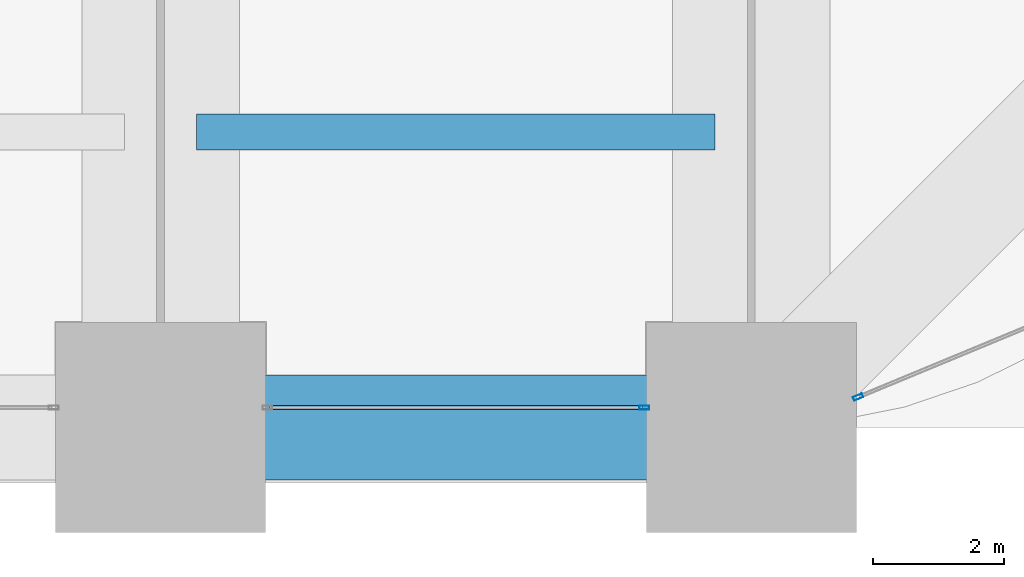
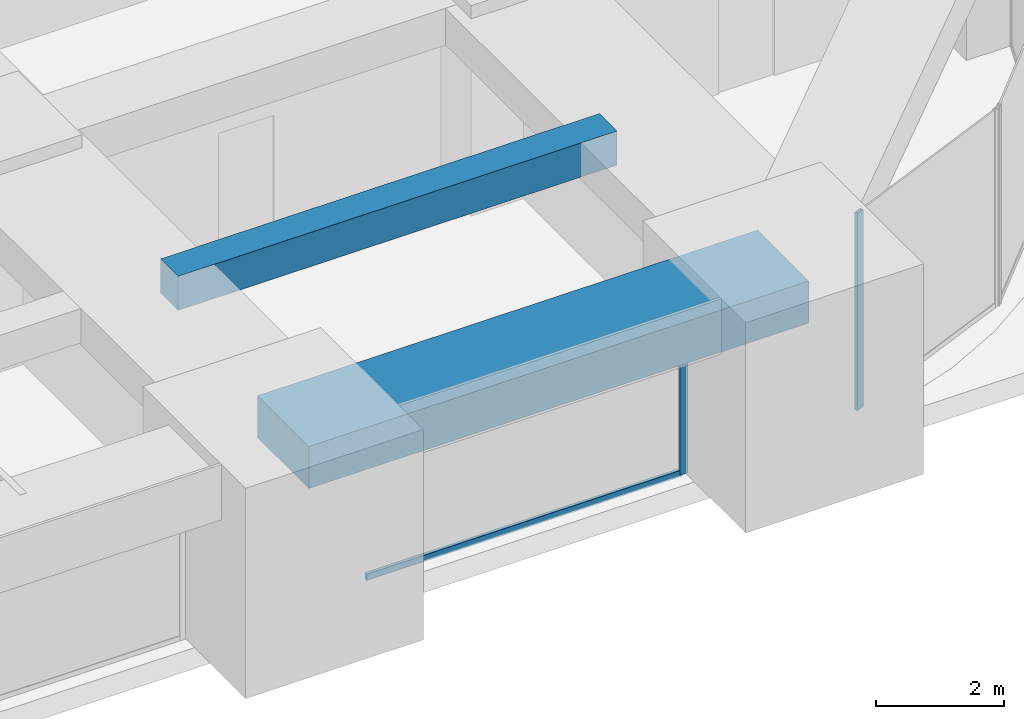
# One storey, part 15 of 35: 3 members, 2 beams, 2 elements without a shape of their own.
"""IFC4 building model written with IfcOpenShell, lengths in metres."""

from ifc_helpers import new_model, si_unit, direction, frame, origin, origin_2d, place, context, subcontext, project, spatial, rectangle, hollow_rectangle, extrude, material, material_profile, profile_set, type_object, element, aggregate, save


model = new_model("IFC4")

# Units and contexts
model_context = context("Model", 3, precision=1e-05, world=origin(), true_north=direction((0.0, 1.0)))
body_context = subcontext(model_context, "Body", "Model", "MODEL_VIEW")
ifc_project = project(units=[si_unit("LENGTHUNIT", "METRE"), si_unit("AREAUNIT", "SQUARE_METRE"), si_unit("VOLUMEUNIT", "CUBIC_METRE"), si_unit("PLANEANGLEUNIT", "RADIAN"), si_unit("MASSUNIT", "GRAM", prefix="KILO")], contexts=[model_context])

# Site, building, storey
site_placement = place(None, origin())
site = spatial("IfcSite", under=ifc_project, at=site_placement, CompositionType="ELEMENT")
building_placement = place(site_placement, origin())
building = spatial("IfcBuilding", under=site, at=building_placement, Name="Zorevar Civic Tower", CompositionType="ELEMENT")
storey_placement = place(building_placement, frame((0.0, 0.0, 162.199951171875)))
storey = spatial("IfcBuildingStorey", under=building, at=storey_placement, Name="L39", CompositionType="ELEMENT", Elevation=162.199951171875)

# Beam
ifc_material_1 = material(Name="Concrete C50/60", Category="concrete")
ifc_material_profile_1 = material_profile(ifc_material_1, rectangle(XDim=0.550048828125, YDim=0.64990234375, at=origin_2d()), Name="RC 550x650")
ifc_profile_set_1 = profile_set([ifc_material_profile_1], Name="Concrete C50/60")
beam_type_1 = type_object("IfcBeamType", Name="Beam RC 550x650", PredefinedType="BEAM", material=ifc_profile_set_1)
beam_1_placement = place(storey_placement, frame((36.550048828125, 4.5, 3.425048828125), z_axis=(1.0, 0.0, 0.0), x_axis=(0.0, 1.0, 0.0)))
element("IfcBeam", 1, at=beam_1_placement, inside=storey, type_object=beam_type_1, Name="Secondary beam L40", PredefinedType="BEAM", context=body_context, shape_type="SweptSolid", body=[
    extrude(rectangle(XDim=0.550048828125, YDim=0.64990234375, at=origin_2d()), origin(), (0.0, 0.0, 1.0), 7.89990234375),
])

# Curtain wall, member
ifc_material_2 = material(Name="Dark grey solar-control glass in black aluminium frame", Category="aluminium")
curtain_wall_type = type_object("IfcCurtainWallType", Name="Curtain wall CW4 high zone", PredefinedType="NOTDEFINED", material=ifc_material_2)
curtain_wall_1_placement = place(storey_placement, origin())
curtain_wall_1 = element("IfcCurtainWall", 2, at=curtain_wall_1_placement, inside=storey, type_object=curtain_wall_type, Name="CW4 L39", PredefinedType="NOTDEFINED")
ifc_material_3 = material(Name="Aluminium, black anodised", Category="aluminium")
ifc_material_profile_2 = material_profile(ifc_material_3, hollow_rectangle(XDim=0.06005859375, YDim=0.14990234375, WallThickness=0.00390625, at=origin_2d()), Name="AL 150x60x4")
ifc_profile_set_2 = profile_set([ifc_material_profile_2], Name="Aluminium, black anodised")
member_type_1 = type_object("IfcMemberType", Name="CW4 mullion AL 150x60x4", PredefinedType="MULLION", material=ifc_profile_set_2)
member_1_placement = place(storey_placement, frame((43.3701171875, 0.300048828125, 0.0), z_axis=(0.0, 0.0, 1.0), x_axis=(0.0, 1.0, 0.0)))
member_1 = element("IfcMember", 3, at=member_1_placement, type_object=member_type_1, Name="CW4 mullion 2", PredefinedType="MULLION", context=body_context, shape_type="SweptSolid", body=[
    extrude(hollow_rectangle(XDim=0.06005859375, YDim=0.14990234375, WallThickness=0.00390625, at=origin_2d()), origin(), (0.0, 0.0, 1.0), 2.949951171875),
])

curtain_wall_2_placement = place(storey_placement, origin())
curtain_wall_2 = element("IfcCurtainWall", 4, at=curtain_wall_2_placement, inside=storey, type_object=curtain_wall_type, Name="CW4 L39", PredefinedType="NOTDEFINED")
member_2_placement = place(storey_placement, frame((46.627685546875, 0.4599609375, 0.0), z_axis=(0.0, 0.0, 1.0), x_axis=(-0.382841193399, 0.92381416997, 0.0)))
member_2 = element("IfcMember", 5, at=member_2_placement, type_object=member_type_1, Name="CW4 mullion 1", PredefinedType="MULLION", context=body_context, shape_type="SweptSolid", body=[
    extrude(hollow_rectangle(XDim=0.06005859375, YDim=0.14990234375, WallThickness=0.00390625, at=origin_2d()), origin(), (0.0, 0.0, 1.0), 3.75),
])
aggregate(curtain_wall_2, [member_2])

# Member
ifc_material_4 = material(Name="Aluminium, black anodised", Category="aluminium")
ifc_material_profile_3 = material_profile(ifc_material_4, hollow_rectangle(XDim=0.06005859375, YDim=0.1201171875, WallThickness=0.0029296875, at=origin_2d()), Name="AL 120x60x3")
ifc_profile_set_3 = profile_set([ifc_material_profile_3], Name="Aluminium, black anodised")
member_type_2 = type_object("IfcMemberType", Name="CW4 transom AL 120x60x3", PredefinedType="USERDEFINED", material=ifc_profile_set_3)
member_3_placement = place(storey_placement, frame((37.659912109375, 0.300048828125, 0.030029296875), z_axis=(1.0, 0.0, 0.0), x_axis=(0.0, 1.0, 0.0)))
member_3 = element("IfcMember", 6, at=member_3_placement, type_object=member_type_2, Name="CW4 sill transom", ObjectType="TRANSOM", PredefinedType="USERDEFINED", context=body_context, shape_type="SweptSolid", body=[
    extrude(hollow_rectangle(XDim=0.06005859375, YDim=0.1201171875, WallThickness=0.0029296875, at=origin_2d()), origin(), (0.0, 0.0, 1.0), 5.68017578125),
])

aggregate(curtain_wall_1, [member_1, member_3])

# Beam
ifc_material_5 = material(Name="Concrete C50/60", Category="concrete")
ifc_material_profile_4 = material_profile(ifc_material_5, rectangle(XDim=1.60009765625, YDim=0.800048828125, at=origin_2d()), Name="RC 1600x800")
ifc_profile_set_4 = profile_set([ifc_material_profile_4], Name="Concrete C50/60")
beam_type_2 = type_object("IfcBeamType", Name="Edge beam RC 1600x800", PredefinedType="SPANDREL", material=ifc_profile_set_4)
beam_2_placement = place(storey_placement, frame((36.0, 0.0, 3.35009765625), z_axis=(1.0, 0.0, 0.0), x_axis=(0.0, 1.0, 0.0)))
element("IfcBeam", 7, at=beam_2_placement, inside=storey, type_object=beam_type_2, Name="Edge beam L40", PredefinedType="SPANDREL", context=body_context, shape_type="SweptSolid", body=[
    extrude(rectangle(XDim=1.60009765625, YDim=0.800048828125, at=origin_2d()), origin(), (0.0, 0.0, 1.0), 9.0),
])

save(model, "model.ifc")
